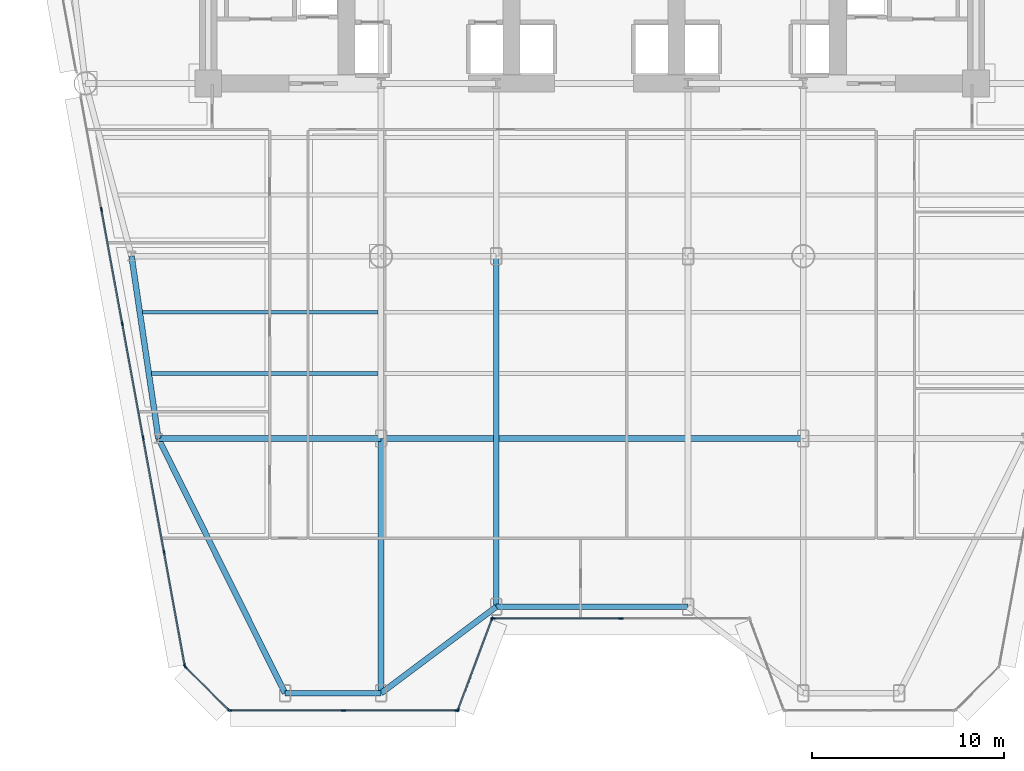
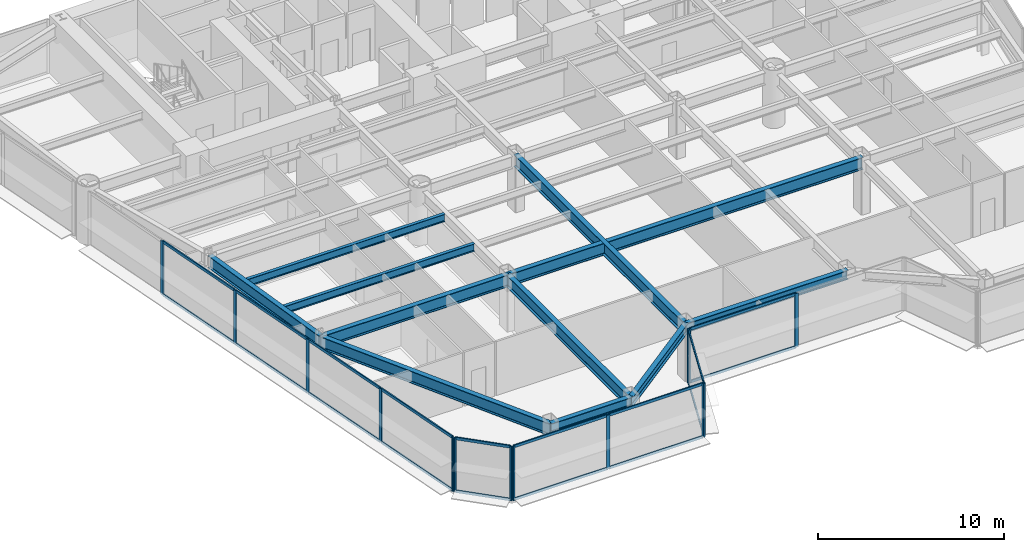
# One storey, part 2 of 14: 32 members, 11 beams, 5 elements without a shape of their own.
"""IFC4 building model written with IfcOpenShell, lengths in metres."""

from ifc_helpers import new_model, si_unit, direction, frame, origin, origin_2d, place, context, subcontext, project, spatial, rectangle, i_section, extrude, source, transform, mapped, material, layer, layer_set, material_profile, profile_set, type_object, element, aggregate, save


model = new_model("IFC4")

# Units and contexts
model_context = context("Model", 3, precision=1e-05, world=origin(), true_north=direction((0.0, 1.0)))
body_context = subcontext(model_context, "Body", "Model", "MODEL_VIEW")
ifc_project = project(units=[si_unit("LENGTHUNIT", "METRE"), si_unit("AREAUNIT", "SQUARE_METRE"), si_unit("VOLUMEUNIT", "CUBIC_METRE"), si_unit("PLANEANGLEUNIT", "RADIAN"), si_unit("MASSUNIT", "GRAM", prefix="KILO")], contexts=[model_context])

# Site, building, storey
site_placement = place(None, origin())
site = spatial("IfcSite", under=ifc_project, at=site_placement, CompositionType="ELEMENT")
building_placement = place(site_placement, origin())
building = spatial("IfcBuilding", under=site, at=building_placement, Name="Vaeldorn Concourse Tower", CompositionType="ELEMENT")
storey_placement = place(building_placement, frame((0.0, 0.0, 79.60009765625)))
storey = spatial("IfcBuildingStorey", under=building, at=storey_placement, Name="L20", CompositionType="ELEMENT", Elevation=79.60009765625)

# Beams
ifc_material_1 = material(Name="Steel S355", Category="steel")
ifc_material_profile_1 = material_profile(ifc_material_1, i_section(OverallWidth=0.300048828125, OverallDepth=0.60009765625, WebThickness=0.015380859375, FlangeThickness=0.030029296875, FilletRadius=0.027099609375, at=origin_2d()), Name="HEB 600")
ifc_profile_set_1 = profile_set([ifc_material_profile_1], Name="Steel S355")
beam_type_1 = type_object("IfcBeamType", Name="BM-SP-HEB600", PredefinedType="SPANDREL", material=ifc_profile_set_1)
shared_shape_1 = source(origin(), body_context, "Body", "SweptSolid", [
    extrude(i_section(OverallWidth=0.300048828125, OverallDepth=0.60009765625, WebThickness=0.015380859375, FlangeThickness=0.030029296875, FilletRadius=0.027099609375, at=origin_2d()), origin(), (0.0, 0.0, 1.0), 5.0),
])
beam_1_placement = place(storey_placement, frame((18.0, 4.72509765625, 3.239990234375), z_axis=(1.0, 0.0, 0.0), x_axis=(0.0, 1.0, 0.0)))
element("IfcBeam", 1, at=beam_1_placement, inside=storey, type_object=beam_type_1, Name="Beam BM-L20-C-SF1-C-SF2", PredefinedType="SPANDREL", context=body_context, shape_type="MappedRepresentation", body=[
    mapped(shared_shape_1, transform((0.0, 0.0, 0.0), scale=1.0)),
])
shared_shape_2 = source(origin(), body_context, "Body", "SweptSolid", [
    extrude(i_section(OverallWidth=0.300048828125, OverallDepth=0.60009765625, WebThickness=0.015380859375, FlangeThickness=0.030029296875, FilletRadius=0.027099609375, at=origin_2d()), origin(), (0.0, 0.0, 1.0), 7.5),
])
beam_2_placement = place(storey_placement, frame((23.0, 4.72509765625, 3.239990234375), z_axis=(0.8, 0.6, 0.0), x_axis=(-0.6, 0.8, 0.0)))
element("IfcBeam", 2, at=beam_2_placement, inside=storey, type_object=beam_type_1, Name="Beam BM-L20-C-SF2-C-SF3", PredefinedType="SPANDREL", context=body_context, shape_type="MappedRepresentation", body=[
    mapped(shared_shape_2, transform((0.0, 0.0, 0.0), scale=1.0)),
])
shared_shape_3 = source(origin(), body_context, "Body", "SweptSolid", [
    extrude(i_section(OverallWidth=0.300048828125, OverallDepth=0.60009765625, WebThickness=0.015380859375, FlangeThickness=0.030029296875, FilletRadius=0.027099609375, at=origin_2d()), origin(), (0.0, 0.0, 1.0), 10.0),
])
beam_3_placement = place(storey_placement, frame((29.0, 9.22509765625, 3.239990234375), z_axis=(1.0, 0.0, 0.0), x_axis=(0.0, 1.0, 0.0)))
element("IfcBeam", 3, at=beam_3_placement, inside=storey, type_object=beam_type_1, Name="Beam BM-L20-C-SF3-C-SF4", PredefinedType="SPANDREL", context=body_context, shape_type="MappedRepresentation", body=[
    mapped(shared_shape_3, transform((0.0, 0.0, 0.0), scale=1.0)),
])
ifc_material_profile_2 = material_profile(ifc_material_1, i_section(OverallWidth=0.300048828125, OverallDepth=0.800048828125, WebThickness=0.017578125, FlangeThickness=0.032958984375, FilletRadius=0.030029296875, at=origin_2d()), Name="HEB 800")
ifc_profile_set_2 = profile_set([ifc_material_profile_2], Name="Steel S355")
beam_type_2 = type_object("IfcBeamType", Name="BM-PG-HEB800", PredefinedType="BEAM", material=ifc_profile_set_2)
shared_shape_4 = source(origin(), body_context, "Body", "SweptSolid", [
    extrude(i_section(OverallWidth=0.300048828125, OverallDepth=0.800048828125, WebThickness=0.017578125, FlangeThickness=0.032958984375, FilletRadius=0.030029296875, at=origin_2d()), origin(), (0.0, 0.0, 1.0), 9.6025390625),
])
beam_4_placement = place(storey_placement, frame((10.0, 27.5, 3.139892578125), z_axis=(0.145783835977, -0.989316467652, 0.0), x_axis=(0.989316467652, 0.145783835977, 0.0)))
element("IfcBeam", 4, at=beam_4_placement, inside=storey, type_object=beam_type_2, Name="Beam BM-L20-C-FLW1-C-FLW2", PredefinedType="BEAM", context=body_context, shape_type="MappedRepresentation", body=[
    mapped(shared_shape_4, transform((0.0, 0.0, 0.0), scale=1.0)),
])
shared_shape_5 = source(origin(), body_context, "Body", "SweptSolid", [
    extrude(i_section(OverallWidth=0.300048828125, OverallDepth=0.800048828125, WebThickness=0.017578125, FlangeThickness=0.032958984375, FilletRadius=0.030029296875, at=origin_2d()), origin(), (0.0, 0.0, 1.0), 11.60009765625),
])
beam_5_placement = place(storey_placement, frame((11.39990234375, 18.0, 3.139892578125), z_axis=(1.0, 0.0, 0.0), x_axis=(0.0, 1.0, 0.0)))
element("IfcBeam", 5, at=beam_5_placement, inside=storey, type_object=beam_type_2, Name="Beam BM-L20-C-FLW2-C-TW5", PredefinedType="BEAM", context=body_context, shape_type="MappedRepresentation", body=[
    mapped(shared_shape_5, transform((0.0, 0.0, 0.0), scale=1.0)),
])
shared_shape_6 = source(origin(), body_context, "Body", "SweptSolid", [
    extrude(i_section(OverallWidth=0.300048828125, OverallDepth=0.800048828125, WebThickness=0.017578125, FlangeThickness=0.032958984375, FilletRadius=0.030029296875, at=origin_2d()), origin(), (0.0, 0.0, 1.0), 22.0),
])
beam_6_placement = place(storey_placement, frame((23.0, 18.0, 3.139892578125), z_axis=(1.0, 0.0, 0.0), x_axis=(0.0, 1.0, 0.0)))
element("IfcBeam", 6, at=beam_6_placement, inside=storey, type_object=beam_type_2, Name="Beam BM-L20-C-TW5-C-TW6", PredefinedType="BEAM", context=body_context, shape_type="MappedRepresentation", body=[
    mapped(shared_shape_6, transform((0.0, 0.0, 0.0), scale=1.0)),
])
shared_shape_7 = source(origin(), body_context, "Body", "SweptSolid", [
    extrude(i_section(OverallWidth=0.300048828125, OverallDepth=0.800048828125, WebThickness=0.017578125, FlangeThickness=0.032958984375, FilletRadius=0.030029296875, at=origin_2d()), origin(), (0.0, 0.0, 1.0), 14.8251953125),
])
beam_7_placement = place(storey_placement, frame((18.0, 4.72509765625, 3.139892578125), z_axis=(-0.44519677276, 0.895432763263, 0.0), x_axis=(-0.895432763263, -0.44519677276, 0.0)))
element("IfcBeam", 7, at=beam_7_placement, inside=storey, type_object=beam_type_2, Name="Beam BM-L20-C-SF1-C-FLW2", PredefinedType="BEAM", context=body_context, shape_type="MappedRepresentation", body=[
    mapped(shared_shape_7, transform((0.0, 0.0, 0.0), scale=1.0)),
])
shared_shape_8 = source(origin(), body_context, "Body", "SweptSolid", [
    extrude(i_section(OverallWidth=0.300048828125, OverallDepth=0.800048828125, WebThickness=0.017578125, FlangeThickness=0.032958984375, FilletRadius=0.030029296875, at=origin_2d()), origin(), (0.0, 0.0, 1.0), 13.27490234375),
])
beam_8_placement = place(storey_placement, frame((23.0, 4.72509765625, 3.139892578125), z_axis=(0.0, 1.0, 0.0), x_axis=(-1.0, 0.0, 0.0)))
element("IfcBeam", 8, at=beam_8_placement, inside=storey, type_object=beam_type_2, Name="Beam BM-L20-C-SF2-C-TW5", PredefinedType="BEAM", context=body_context, shape_type="MappedRepresentation", body=[
    mapped(shared_shape_8, transform((0.0, 0.0, 0.0), scale=1.0)),
])
shared_shape_9 = source(origin(), body_context, "Body", "SweptSolid", [
    extrude(i_section(OverallWidth=0.300048828125, OverallDepth=0.800048828125, WebThickness=0.017578125, FlangeThickness=0.032958984375, FilletRadius=0.030029296875, at=origin_2d()), origin(), (0.0, 0.0, 1.0), 18.27490234375),
])
beam_9_placement = place(storey_placement, frame((29.0, 9.22509765625, 3.139892578125), z_axis=(0.0, 1.0, 0.0), x_axis=(-1.0, 0.0, 0.0)))
element("IfcBeam", 9, at=beam_9_placement, inside=storey, type_object=beam_type_2, Name="Beam BM-L20-C-SF3-C-TW2", PredefinedType="BEAM", context=body_context, shape_type="MappedRepresentation", body=[
    mapped(shared_shape_9, transform((0.0, 0.0, 0.0), scale=1.0)),
])
ifc_material_profile_3 = material_profile(ifc_material_1, i_section(OverallWidth=0.199951171875, OverallDepth=0.5, WebThickness=0.01025390625, FlangeThickness=0.01611328125, FilletRadius=0.02099609375, at=origin_2d()), Name="IPE 500")
ifc_profile_set_3 = profile_set([ifc_material_profile_3], Name="Steel S355")
beam_type_3 = type_object("IfcBeamType", Name="BM-JS-IPE500", PredefinedType="JOIST", material=ifc_profile_set_3)
shared_shape_10 = source(origin(), body_context, "Body", "SweptSolid", [
    extrude(i_section(OverallWidth=0.199951171875, OverallDepth=0.5, WebThickness=0.01025390625, FlangeThickness=0.01611328125, FilletRadius=0.02099609375, at=origin_2d()), origin(), (0.0, 0.0, 1.0), 11.798095703125),
])
beam_10_placement = place(storey_placement, frame((11.052001953125, 21.3798828125, 3.289794921875), z_axis=(1.0, 0.0, 0.0), x_axis=(0.0, 1.0, 0.0)))
element("IfcBeam", 10, at=beam_10_placement, inside=storey, type_object=beam_type_3, Name="Beam JS-L20-W1-213", PredefinedType="JOIST", context=body_context, shape_type="MappedRepresentation", body=[
    mapped(shared_shape_10, transform((0.0, 0.0, 0.0), scale=1.0)),
])
shared_shape_11 = source(origin(), body_context, "Body", "SweptSolid", [
    extrude(i_section(OverallWidth=0.199951171875, OverallDepth=0.5, WebThickness=0.01025390625, FlangeThickness=0.01611328125, FilletRadius=0.02099609375, at=origin_2d()), origin(), (0.0, 0.0, 1.0), 12.269775390625),
])
beam_11_placement = place(storey_placement, frame((10.580322265625, 24.580078125, 3.289794921875), z_axis=(1.0, 0.0, 0.0), x_axis=(0.0, 1.0, 0.0)))
element("IfcBeam", 11, at=beam_11_placement, inside=storey, type_object=beam_type_3, Name="Beam JS-L20-W1-245", PredefinedType="JOIST", context=body_context, shape_type="MappedRepresentation", body=[
    mapped(shared_shape_11, transform((0.0, 0.0, 0.0), scale=1.0)),
])

# Curtain wall, members
ifc_material_2 = material(Name="Anodised Bronze Aluminium", Category="aluminium")
ifc_layer = layer(ifc_material_2, 0.219970703125)
ifc_layer_set = layer_set([ifc_layer], Name="Anodised Bronze Aluminium")
curtain_wall_type = type_object("IfcCurtainWallType", Name="CW-SYS-01", PredefinedType="NOTDEFINED", material=ifc_layer_set)
curtain_wall_1_placement = place(storey_placement, origin())
curtain_wall_1 = element("IfcCurtainWall", 12, at=curtain_wall_1_placement, inside=storey, type_object=curtain_wall_type, Name="Unitised Curtain Wall CW-L20-E02-1", PredefinedType="NOTDEFINED")
ifc_material_profile_4 = material_profile(ifc_material_2, rectangle(XDim=0.074951171875, YDim=0.179931640625, at=origin_2d()), Name="CWT 75x180")
ifc_profile_set_4 = profile_set([ifc_material_profile_4], Name="Anodised Bronze Aluminium")
member_type_1 = type_object("IfcMemberType", Name="CWT-BRONZE-180", PredefinedType="USERDEFINED", material=ifc_profile_set_4)
shared_shape_12 = source(origin(), body_context, "Body", "SweptSolid", [
    extrude(rectangle(XDim=0.074951171875, YDim=0.179931640625, at=origin_2d()), origin(), (0.0, 0.0, 1.0), 4.976318359375),
])
member_1_placement = place(storey_placement, frame((27.0263671875, 3.8955078125, 0.037353515625), z_axis=(0.351128818119, 0.936327161352, 0.0), x_axis=(-0.936327161352, 0.351128818119, 0.0)))
member_1 = element("IfcMember", 13, at=member_1_placement, type_object=member_type_1, Name="CW-01 transom 1.1", ObjectType="TRANSOM", PredefinedType="USERDEFINED", context=body_context, shape_type="MappedRepresentation", body=[
    mapped(shared_shape_12, transform((0.0, 0.0, 0.0), scale=1.0)),
])
member_2_placement = place(storey_placement, frame((27.0263671875, 3.8955078125, 3.50244140625), z_axis=(0.351128818119, 0.936327161352, 0.0), x_axis=(-0.936327161352, 0.351128818119, 0.0)))
member_2 = element("IfcMember", 14, at=member_2_placement, type_object=member_type_1, Name="CW-01 transom 1.2", ObjectType="TRANSOM", PredefinedType="USERDEFINED", context=body_context, shape_type="MappedRepresentation", body=[
    mapped(shared_shape_12, transform((0.0, 0.0, 0.0), scale=1.0)),
])

curtain_wall_2_placement = place(storey_placement, origin())
curtain_wall_2 = element("IfcCurtainWall", 15, at=curtain_wall_2_placement, inside=storey, type_object=curtain_wall_type, Name="Unitised Curtain Wall CW-L20-E03-1", PredefinedType="NOTDEFINED")
shared_shape_13 = source(origin(), body_context, "Body", "SweptSolid", [
    extrude(rectangle(XDim=0.074951171875, YDim=0.179931640625, at=origin_2d()), origin(), (0.0, 0.0, 1.0), 6.58740234375),
])
member_3_placement = place(storey_placement, frame((28.875, 8.625244140625, 0.037353515625), z_axis=(1.0, 0.0, 0.0), x_axis=(0.0, 1.0, 0.0)))
member_3 = element("IfcMember", 16, at=member_3_placement, type_object=member_type_1, Name="CW-01 transom 1.1", ObjectType="TRANSOM", PredefinedType="USERDEFINED", context=body_context, shape_type="MappedRepresentation", body=[
    mapped(shared_shape_13, transform((0.0, 0.0, 0.0), scale=1.0)),
])
member_4_placement = place(storey_placement, frame((28.875, 8.625244140625, 3.50244140625), z_axis=(1.0, 0.0, 0.0), x_axis=(0.0, 1.0, 0.0)))
member_4 = element("IfcMember", 17, at=member_4_placement, type_object=member_type_1, Name="CW-01 transom 1.2", ObjectType="TRANSOM", PredefinedType="USERDEFINED", context=body_context, shape_type="MappedRepresentation", body=[
    mapped(shared_shape_13, transform((0.0, 0.0, 0.0), scale=1.0)),
])

curtain_wall_3_placement = place(storey_placement, origin())
curtain_wall_3 = element("IfcCurtainWall", 18, at=curtain_wall_3_placement, inside=storey, type_object=curtain_wall_type, Name="Unitised Curtain Wall CW-L20-E12-1", PredefinedType="NOTDEFINED")
shared_shape_14 = source(origin(), body_context, "Body", "SweptSolid", [
    extrude(rectangle(XDim=0.074951171875, YDim=0.179931640625, at=origin_2d()), origin(), (0.0, 0.0, 1.0), 3.102783203125),
])
member_5_placement = place(storey_placement, frame((12.8369140625, 6.072265625, 0.037353515625), z_axis=(0.707067437368, -0.707146122816, 0.0), x_axis=(0.707146122816, 0.707067437368, 0.0)))
member_5 = element("IfcMember", 19, at=member_5_placement, type_object=member_type_1, Name="CW-01 transom 1.1", ObjectType="TRANSOM", PredefinedType="USERDEFINED", context=body_context, shape_type="MappedRepresentation", body=[
    mapped(shared_shape_14, transform((0.0, 0.0, 0.0), scale=1.0)),
])
member_6_placement = place(storey_placement, frame((12.8369140625, 6.072265625, 3.50244140625), z_axis=(0.707067437368, -0.707146122816, 0.0), x_axis=(0.707146122816, 0.707067437368, 0.0)))
member_6 = element("IfcMember", 20, at=member_6_placement, type_object=member_type_1, Name="CW-01 transom 1.2", ObjectType="TRANSOM", PredefinedType="USERDEFINED", context=body_context, shape_type="MappedRepresentation", body=[
    mapped(shared_shape_14, transform((0.0, 0.0, 0.0), scale=1.0)),
])

curtain_wall_4_placement = place(storey_placement, origin())
curtain_wall_4 = element("IfcCurtainWall", 21, at=curtain_wall_4_placement, inside=storey, type_object=curtain_wall_type, Name="Unitised Curtain Wall CW-L20-E01-1", PredefinedType="NOTDEFINED")
ifc_material_profile_5 = material_profile(ifc_material_2, rectangle(XDim=0.074951171875, YDim=0.219970703125, at=origin_2d()), Name="CWM 75x220")
ifc_profile_set_5 = profile_set([ifc_material_profile_5], Name="Anodised Bronze Aluminium")
member_type_2 = type_object("IfcMemberType", Name="CWM-BRONZE-220", PredefinedType="MULLION", material=ifc_profile_set_5)
shared_shape_15 = source(origin(), body_context, "Body", "SweptSolid", [
    extrude(rectangle(XDim=0.074951171875, YDim=0.219970703125, at=origin_2d()), origin(), (0.0, 0.0, 1.0), 3.539794921875),
])
member_7_placement = place(storey_placement, frame((15.121337890625, 3.8251953125, 0.0), z_axis=(0.0, 0.0, 1.0), x_axis=(0.0, 1.0, 0.0)))
member_7 = element("IfcMember", 22, at=member_7_placement, type_object=member_type_2, Name="CW-01 mullion 1", PredefinedType="MULLION", context=body_context, shape_type="MappedRepresentation", body=[
    mapped(shared_shape_15, transform((0.0, 0.0, 0.0), scale=1.0)),
])
member_8_placement = place(storey_placement, frame((21.0419921875, 3.8251953125, 0.0), z_axis=(0.0, 0.0, 1.0), x_axis=(0.0, 1.0, 0.0)))
member_8 = element("IfcMember", 23, at=member_8_placement, type_object=member_type_2, Name="CW-01 mullion 2", PredefinedType="MULLION", context=body_context, shape_type="MappedRepresentation", body=[
    mapped(shared_shape_15, transform((0.0, 0.0, 0.0), scale=1.0)),
])
member_9_placement = place(storey_placement, frame((26.96240234375, 3.8251953125, 0.0), z_axis=(0.0, 0.0, 1.0), x_axis=(0.0, 1.0, 0.0)))
member_9 = element("IfcMember", 24, at=member_9_placement, type_object=member_type_2, Name="CW-01 mullion 3", PredefinedType="MULLION", context=body_context, shape_type="MappedRepresentation", body=[
    mapped(shared_shape_15, transform((0.0, 0.0, 0.0), scale=1.0)),
])

# Member
member_10_placement = place(storey_placement, frame((27.01318359375, 3.8603515625, 0.0), z_axis=(0.0, 0.0, 1.0), x_axis=(-0.936329177566, 0.351123441595, 0.0)))
member_10 = element("IfcMember", 25, at=member_10_placement, type_object=member_type_2, Name="CW-01 mullion 1", PredefinedType="MULLION", context=body_context, shape_type="MappedRepresentation", body=[
    mapped(shared_shape_15, transform((0.0, 0.0, 0.0), scale=1.0)),
])

member_11_placement = place(storey_placement, frame((28.786865234375, 8.590087890625, 0.0), z_axis=(0.0, 0.0, 1.0), x_axis=(-0.936329177566, 0.351123441595, 0.0)))
member_11 = element("IfcMember", 26, at=member_11_placement, type_object=member_type_2, Name="CW-01 mullion 2", PredefinedType="MULLION", context=body_context, shape_type="MappedRepresentation", body=[
    mapped(shared_shape_15, transform((0.0, 0.0, 0.0), scale=1.0)),
])

aggregate(curtain_wall_1, [member_10, member_11, member_1, member_2])

member_12_placement = place(storey_placement, frame((28.83740234375, 8.625244140625, 0.0), z_axis=(0.0, 0.0, 1.0), x_axis=(0.0, 1.0, 0.0)))
member_12 = element("IfcMember", 27, at=member_12_placement, type_object=member_type_2, Name="CW-01 mullion 1", PredefinedType="MULLION", context=body_context, shape_type="MappedRepresentation", body=[
    mapped(shared_shape_15, transform((0.0, 0.0, 0.0), scale=1.0)),
])

member_13_placement = place(storey_placement, frame((35.5, 8.625244140625, 0.0), z_axis=(0.0, 0.0, 1.0), x_axis=(0.0, 1.0, 0.0)))
member_13 = element("IfcMember", 28, at=member_13_placement, type_object=member_type_2, Name="CW-01 mullion 2", PredefinedType="MULLION", context=body_context, shape_type="MappedRepresentation", body=[
    mapped(shared_shape_15, transform((0.0, 0.0, 0.0), scale=1.0)),
])

aggregate(curtain_wall_2, [member_12, member_13, member_3, member_4])

# Curtain wall, members
curtain_wall_5_placement = place(storey_placement, origin())
curtain_wall_5 = element("IfcCurtainWall", 29, at=curtain_wall_5_placement, inside=storey, type_object=curtain_wall_type, Name="Unitised Curtain Wall CW-L20-E11-2", PredefinedType="NOTDEFINED")
member_14_placement = place(storey_placement, frame((8.431640625, 29.929443359375, 0.0), z_axis=(0.0, 0.0, 1.0), x_axis=(0.983694621772, 0.179846854566, 0.0)))
member_14 = element("IfcMember", 30, at=member_14_placement, type_object=member_type_2, Name="CW-01 mullion 2", PredefinedType="MULLION", context=body_context, shape_type="MappedRepresentation", body=[
    mapped(shared_shape_15, transform((0.0, 0.0, 0.0), scale=1.0)),
])
member_15_placement = place(storey_placement, frame((9.519775390625, 23.978271484375, 0.0), z_axis=(0.0, 0.0, 1.0), x_axis=(0.983694621772, 0.179846854566, 0.0)))
member_15 = element("IfcMember", 31, at=member_15_placement, type_object=member_type_2, Name="CW-01 mullion 3", PredefinedType="MULLION", context=body_context, shape_type="MappedRepresentation", body=[
    mapped(shared_shape_15, transform((0.0, 0.0, 0.0), scale=1.0)),
])
member_16_placement = place(storey_placement, frame((10.607666015625, 18.02734375, 0.0), z_axis=(0.0, 0.0, 1.0), x_axis=(0.983694621772, 0.179846854566, 0.0)))
member_16 = element("IfcMember", 32, at=member_16_placement, type_object=member_type_2, Name="CW-01 mullion 4", PredefinedType="MULLION", context=body_context, shape_type="MappedRepresentation", body=[
    mapped(shared_shape_15, transform((0.0, 0.0, 0.0), scale=1.0)),
])
member_17_placement = place(storey_placement, frame((11.69580078125, 12.076171875, 0.0), z_axis=(0.0, 0.0, 1.0), x_axis=(0.983694621772, 0.179846854566, 0.0)))
member_17 = element("IfcMember", 33, at=member_17_placement, type_object=member_type_2, Name="CW-01 mullion 5", PredefinedType="MULLION", context=body_context, shape_type="MappedRepresentation", body=[
    mapped(shared_shape_15, transform((0.0, 0.0, 0.0), scale=1.0)),
])
member_18_placement = place(storey_placement, frame((12.777099609375, 6.162109375, 0.0), z_axis=(0.0, 0.0, 1.0), x_axis=(0.983694621772, 0.179846854566, 0.0)))
member_18 = element("IfcMember", 34, at=member_18_placement, type_object=member_type_2, Name="CW-01 mullion 6", PredefinedType="MULLION", context=body_context, shape_type="MappedRepresentation", body=[
    mapped(shared_shape_15, transform((0.0, 0.0, 0.0), scale=1.0)),
])

# Member
member_19_placement = place(storey_placement, frame((12.810302734375, 6.0986328125, 0.0), z_axis=(0.0, 0.0, 1.0), x_axis=(0.707106781187, 0.707106781187, 0.0)))
member_19 = element("IfcMember", 35, at=member_19_placement, type_object=member_type_2, Name="CW-01 mullion 1", PredefinedType="MULLION", context=body_context, shape_type="MappedRepresentation", body=[
    mapped(shared_shape_15, transform((0.0, 0.0, 0.0), scale=1.0)),
])

member_20_placement = place(storey_placement, frame((15.057373046875, 3.851806640625, 0.0), z_axis=(0.0, 0.0, 1.0), x_axis=(0.707106781187, 0.707106781187, 0.0)))
member_20 = element("IfcMember", 36, at=member_20_placement, type_object=member_type_2, Name="CW-01 mullion 2", PredefinedType="MULLION", context=body_context, shape_type="MappedRepresentation", body=[
    mapped(shared_shape_15, transform((0.0, 0.0, 0.0), scale=1.0)),
])

aggregate(curtain_wall_3, [member_19, member_20, member_5, member_6])

shared_shape_16 = source(origin(), body_context, "Body", "SweptSolid", [
    extrude(rectangle(XDim=0.074951171875, YDim=0.179931640625, at=origin_2d()), origin(), (0.0, 0.0, 1.0), 5.845703125),
])
member_21_placement = place(storey_placement, frame((15.15869140625, 3.8251953125, 0.037353515625), z_axis=(1.0, 0.0, 0.0), x_axis=(0.0, 1.0, 0.0)))
member_21 = element("IfcMember", 37, at=member_21_placement, type_object=member_type_1, Name="CW-01 transom 1.1", ObjectType="TRANSOM", PredefinedType="USERDEFINED", context=body_context, shape_type="MappedRepresentation", body=[
    mapped(shared_shape_16, transform((0.0, 0.0, 0.0), scale=1.0)),
])

member_22_placement = place(storey_placement, frame((15.15869140625, 3.8251953125, 3.50244140625), z_axis=(1.0, 0.0, 0.0), x_axis=(0.0, 1.0, 0.0)))
member_22 = element("IfcMember", 38, at=member_22_placement, type_object=member_type_1, Name="CW-01 transom 1.2", ObjectType="TRANSOM", PredefinedType="USERDEFINED", context=body_context, shape_type="MappedRepresentation", body=[
    mapped(shared_shape_16, transform((0.0, 0.0, 0.0), scale=1.0)),
])

member_23_placement = place(storey_placement, frame((21.079345703125, 3.8251953125, 0.037353515625), z_axis=(1.0, 0.0, 0.0), x_axis=(0.0, 1.0, 0.0)))
member_23 = element("IfcMember", 39, at=member_23_placement, type_object=member_type_1, Name="CW-01 transom 2.1", ObjectType="TRANSOM", PredefinedType="USERDEFINED", context=body_context, shape_type="MappedRepresentation", body=[
    mapped(shared_shape_16, transform((0.0, 0.0, 0.0), scale=1.0)),
])

member_24_placement = place(storey_placement, frame((21.079345703125, 3.8251953125, 3.50244140625), z_axis=(1.0, 0.0, 0.0), x_axis=(0.0, 1.0, 0.0)))
member_24 = element("IfcMember", 40, at=member_24_placement, type_object=member_type_1, Name="CW-01 transom 2.2", ObjectType="TRANSOM", PredefinedType="USERDEFINED", context=body_context, shape_type="MappedRepresentation", body=[
    mapped(shared_shape_16, transform((0.0, 0.0, 0.0), scale=1.0)),
])

aggregate(curtain_wall_4, [member_7, member_8, member_9, member_21, member_22, member_23, member_24])

shared_shape_17 = source(origin(), body_context, "Body", "SweptSolid", [
    extrude(rectangle(XDim=0.074951171875, YDim=0.179931640625, at=origin_2d()), origin(), (0.0, 0.0, 1.0), 5.93701171875),
])
member_25_placement = place(storey_placement, frame((11.70263671875, 12.039306640625, 0.037353515625), z_axis=(0.179822589246, -0.983699057841, 0.0), x_axis=(0.983699057841, 0.179822589246, 0.0)))
member_25 = element("IfcMember", 41, at=member_25_placement, type_object=member_type_1, Name="CW-01 transom 5.1", ObjectType="TRANSOM", PredefinedType="USERDEFINED", context=body_context, shape_type="MappedRepresentation", body=[
    mapped(shared_shape_17, transform((0.0, 0.0, 0.0), scale=1.0)),
])

member_26_placement = place(storey_placement, frame((11.70263671875, 12.039306640625, 3.50244140625), z_axis=(0.179822589246, -0.983699057841, 0.0), x_axis=(0.983699057841, 0.179822589246, 0.0)))
member_26 = element("IfcMember", 42, at=member_26_placement, type_object=member_type_1, Name="CW-01 transom 5.2", ObjectType="TRANSOM", PredefinedType="USERDEFINED", context=body_context, shape_type="MappedRepresentation", body=[
    mapped(shared_shape_17, transform((0.0, 0.0, 0.0), scale=1.0)),
])

shared_shape_18 = source(origin(), body_context, "Body", "SweptSolid", [
    extrude(rectangle(XDim=0.074951171875, YDim=0.179931640625, at=origin_2d()), origin(), (0.0, 0.0, 1.0), 5.974853515625),
])
member_27_placement = place(storey_placement, frame((10.614501953125, 17.990478515625, 0.037353515625), z_axis=(0.179831051966, -0.983697510797, 0.0), x_axis=(0.983697510797, 0.179831051966, 0.0)))
member_27 = element("IfcMember", 43, at=member_27_placement, type_object=member_type_1, Name="CW-01 transom 4.1", ObjectType="TRANSOM", PredefinedType="USERDEFINED", context=body_context, shape_type="MappedRepresentation", body=[
    mapped(shared_shape_18, transform((0.0, 0.0, 0.0), scale=1.0)),
])

member_28_placement = place(storey_placement, frame((10.614501953125, 17.990478515625, 3.50244140625), z_axis=(0.179831051966, -0.983697510797, 0.0), x_axis=(0.983697510797, 0.179831051966, 0.0)))
member_28 = element("IfcMember", 44, at=member_28_placement, type_object=member_type_1, Name="CW-01 transom 4.2", ObjectType="TRANSOM", PredefinedType="USERDEFINED", context=body_context, shape_type="MappedRepresentation", body=[
    mapped(shared_shape_18, transform((0.0, 0.0, 0.0), scale=1.0)),
])

shared_shape_19 = source(origin(), body_context, "Body", "SweptSolid", [
    extrude(rectangle(XDim=0.074951171875, YDim=0.179931640625, at=origin_2d()), origin(), (0.0, 0.0, 1.0), 5.974609375),
])
member_29_placement = place(storey_placement, frame((8.4384765625, 29.892578125, 0.037353515625), z_axis=(0.179838280608, -0.983696189292, 0.0), x_axis=(0.983696189292, 0.179838280608, 0.0)))
member_29 = element("IfcMember", 45, at=member_29_placement, type_object=member_type_1, Name="CW-01 transom 2.1", ObjectType="TRANSOM", PredefinedType="USERDEFINED", context=body_context, shape_type="MappedRepresentation", body=[
    mapped(shared_shape_19, transform((0.0, 0.0, 0.0), scale=1.0)),
])

member_30_placement = place(storey_placement, frame((8.4384765625, 29.892578125, 3.50244140625), z_axis=(0.179838280608, -0.983696189292, 0.0), x_axis=(0.983696189292, 0.179838280608, 0.0)))
member_30 = element("IfcMember", 46, at=member_30_placement, type_object=member_type_1, Name="CW-01 transom 2.2", ObjectType="TRANSOM", PredefinedType="USERDEFINED", context=body_context, shape_type="MappedRepresentation", body=[
    mapped(shared_shape_19, transform((0.0, 0.0, 0.0), scale=1.0)),
])

member_31_placement = place(storey_placement, frame((9.5263671875, 23.94140625, 0.037353515625), z_axis=(0.179877821637, -0.983688959623, 0.0), x_axis=(0.983688959623, 0.179877821637, 0.0)))
member_31 = element("IfcMember", 47, at=member_31_placement, type_object=member_type_1, Name="CW-01 transom 3.1", ObjectType="TRANSOM", PredefinedType="USERDEFINED", context=body_context, shape_type="MappedRepresentation", body=[
    mapped(shared_shape_19, transform((0.0, 0.0, 0.0), scale=1.0)),
])

member_32_placement = place(storey_placement, frame((9.5263671875, 23.94140625, 3.50244140625), z_axis=(0.179877821637, -0.983688959623, 0.0), x_axis=(0.983688959623, 0.179877821637, 0.0)))
member_32 = element("IfcMember", 48, at=member_32_placement, type_object=member_type_1, Name="CW-01 transom 3.2", ObjectType="TRANSOM", PredefinedType="USERDEFINED", context=body_context, shape_type="MappedRepresentation", body=[
    mapped(shared_shape_19, transform((0.0, 0.0, 0.0), scale=1.0)),
])

aggregate(curtain_wall_5, [member_14, member_15, member_16, member_17, member_18, member_29, member_30, member_31, member_32, member_27, member_28, member_25, member_26])

save(model, "model.ifc")
